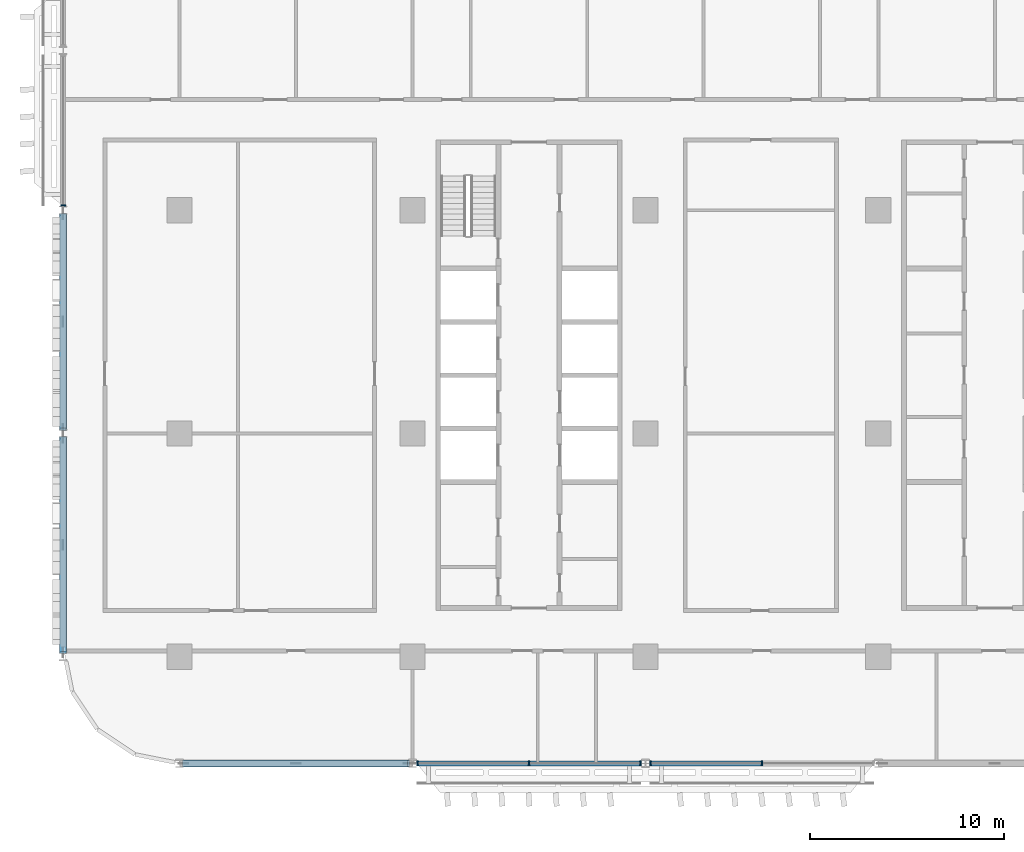
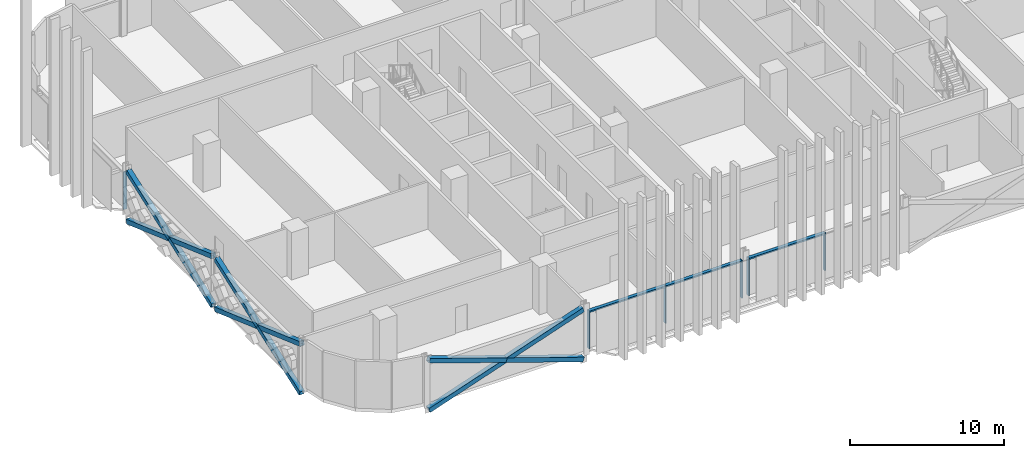
# One storey, part 3 of 33: 18 members, 3 elements without a shape of their own.
"""IFC4 building model written with IfcOpenShell, lengths in metres."""

from ifc_helpers import new_model, si_unit, direction, frame, origin, origin_2d, place, context, subcontext, project, spatial, rectangle, hollow_rectangle, extrude, material, material_profile, profile_set, type_object, element, aggregate, save


model = new_model("IFC4")

# Units and contexts
model_context = context("Model", 3, precision=1e-05, world=origin(), true_north=direction((0.0, 1.0)))
body_context = subcontext(model_context, "Body", "Model", "MODEL_VIEW")
ifc_project = project(units=[si_unit("LENGTHUNIT", "METRE"), si_unit("AREAUNIT", "SQUARE_METRE"), si_unit("VOLUMEUNIT", "CUBIC_METRE"), si_unit("PLANEANGLEUNIT", "RADIAN"), si_unit("MASSUNIT", "GRAM", prefix="KILO")], contexts=[model_context])

# Site, building, storey
site_placement = place(None, origin())
site = spatial("IfcSite", under=ifc_project, at=site_placement, CompositionType="ELEMENT")
building_placement = place(site_placement, origin())
building = spatial("IfcBuilding", under=site, at=building_placement, Name="Mahtab Terrace Research Tower", CompositionType="ELEMENT")
storey_placement = place(building_placement, frame((0.0, 0.0, 122.0)))
storey = spatial("IfcBuildingStorey", under=building, at=storey_placement, Name="L28", CompositionType="ELEMENT", Elevation=122.0)

# Members
ifc_material_1 = material(Name="Steel ASTM A500 Gr C", Category="steel")
ifc_material_profile_1 = material_profile(ifc_material_1, hollow_rectangle(XDim=0.355712890625, YDim=0.355712890625, WallThickness=0.01904296875, at=origin_2d()), Name="HSS14X14X3/4")
ifc_profile_set_1 = profile_set([ifc_material_profile_1], Name="Steel ASTM A500 Gr C")
member_type_1 = type_object("IfcMemberType", Name="HSS 14x14x3/4 brace XB141434", PredefinedType="BRACE", material=ifc_profile_set_1)
member_1_placement = place(storey_placement, frame((-48.0, 11.282958984375, -0.64111328125), z_axis=(0.0, -0.941925134484, 0.335822931061), x_axis=(1.0, 0.0, 0.0)))
element("IfcMember", 1, at=member_1_placement, inside=storey, type_object=member_type_1, Name="Exoskeleton brace L28 11 a", PredefinedType="BRACE", context=body_context, shape_type="SweptSolid", body=[
    extrude(hollow_rectangle(XDim=0.355712890625, YDim=0.355712890625, WallThickness=0.01904296875, at=origin_2d()), origin(), (0.0, 0.0, 1.0), 11.748291015625),
])
for number, where, z_axis, x_axis, name in (
    (2, (-48.0, 0.217041015625, -0.64111328125), (0.0, 0.941925134484, 0.335822931061), (-1.0, 0.0, 0.0), "Exoskeleton brace L28 11 b1"),
    (3, (-48.0, 5.75, 1.33154296875), (0.0, 0.941925134484, 0.335822931061), (-1.0, 0.0, 0.0), "Exoskeleton brace L28 11 b2"),
):
    element("IfcMember", number, at=place(storey_placement, frame(where, z_axis=z_axis, x_axis=x_axis)), inside=storey, type_object=member_type_1, Name=name, PredefinedType="BRACE", context=body_context, shape_type="SweptSolid", body=[
        extrude(hollow_rectangle(XDim=0.355712890625, YDim=0.355712890625, WallThickness=0.01904296875, at=origin_2d()), origin(), (0.0, 0.0, 1.0), 5.8740234375),
    ])
member_2_placement = place(storey_placement, frame((-48.0, -0.217041015625, -0.64111328125), z_axis=(0.0, -0.941925134484, 0.335822931061), x_axis=(1.0, 0.0, 0.0)))
element("IfcMember", 4, at=member_2_placement, inside=storey, type_object=member_type_1, Name="Exoskeleton brace L28 12 a", PredefinedType="BRACE", context=body_context, shape_type="SweptSolid", body=[
    extrude(hollow_rectangle(XDim=0.355712890625, YDim=0.355712890625, WallThickness=0.01904296875, at=origin_2d()), origin(), (0.0, 0.0, 1.0), 11.748291015625),
])
for number, where, z_axis, x_axis, name in (
    (5, (-48.0, -11.282958984375, -0.64111328125), (0.0, 0.941925134484, 0.335822931061), (-1.0, 0.0, 0.0), "Exoskeleton brace L28 12 b1"),
    (6, (-48.0, -5.75, 1.33154296875), (0.0, 0.941925134484, 0.335822931061), (-1.0, 0.0, 0.0), "Exoskeleton brace L28 12 b2"),
):
    element("IfcMember", number, at=place(storey_placement, frame(where, z_axis=z_axis, x_axis=x_axis)), inside=storey, type_object=member_type_1, Name=name, PredefinedType="BRACE", context=body_context, shape_type="SweptSolid", body=[
        extrude(hollow_rectangle(XDim=0.355712890625, YDim=0.355712890625, WallThickness=0.01904296875, at=origin_2d()), origin(), (0.0, 0.0, 1.0), 5.8740234375),
    ])
member_3_placement = place(storey_placement, frame((-41.794189453125, -17.0, -0.648193359375), z_axis=(0.946288278, 0.0, 0.323324132908), x_axis=(0.0, 1.0, 0.0)))
element("IfcMember", 7, at=member_3_placement, inside=storey, type_object=member_type_1, Name="Exoskeleton brace L28 14 a", PredefinedType="BRACE", context=body_context, shape_type="SweptSolid", body=[
    extrude(hollow_rectangle(XDim=0.355712890625, YDim=0.355712890625, WallThickness=0.01904296875, at=origin_2d()), origin(), (0.0, 0.0, 1.0), 12.24609375),
])
for number, where, z_axis, x_axis, name in (
    (8, (-30.205810546875, -17.0, -0.648193359375), (-0.946288278, 0.0, 0.323324132908), (0.0, -1.0, 0.0), "Exoskeleton brace L28 14 b1"),
    (9, (-36.0, -17.0, 1.33154296875), (-0.946288278, 0.0, 0.323324132908), (0.0, -1.0, 0.0), "Exoskeleton brace L28 14 b2"),
):
    element("IfcMember", number, at=place(storey_placement, frame(where, z_axis=z_axis, x_axis=x_axis)), inside=storey, type_object=member_type_1, Name=name, PredefinedType="BRACE", context=body_context, shape_type="SweptSolid", body=[
        extrude(hollow_rectangle(XDim=0.355712890625, YDim=0.355712890625, WallThickness=0.01904296875, at=origin_2d()), origin(), (0.0, 0.0, 1.0), 6.123046875),
    ])

# Curtain wall, member
ifc_material_2 = material(Name="Sky lounge full-height curtain wall")
curtain_wall_type = type_object("IfcCurtainWallType", Name="Sky lounge full-height curtain wall", PredefinedType="NOTDEFINED", material=ifc_material_2)
curtain_wall_1_placement = place(storey_placement, origin())
curtain_wall_1 = element("IfcCurtainWall", 10, at=curtain_wall_1_placement, inside=storey, type_object=curtain_wall_type, Name="EN.L28.8.16", PredefinedType="NOTDEFINED")
ifc_material_3 = material(Name="Natural anodised aluminium", Category="aluminium")
ifc_material_profile_2 = material_profile(ifc_material_3, rectangle(XDim=0.25, YDim=0.070068359375, at=origin_2d()), Name="MULLION 70x250")
ifc_profile_set_2 = profile_set([ifc_material_profile_2], Name="Natural anodised aluminium")
member_type_2 = type_object("IfcMemberType", Name="Sky lounge full-height curtain wall mullion", PredefinedType="MULLION", material=ifc_profile_set_2)
member_4_placement = place(storey_placement, frame((-48.0, 11.7529296875, 0.0), z_axis=(0.0, 0.0, 1.0), x_axis=(1.0, 0.0, 0.0)))
member_4 = element("IfcMember", 11, at=member_4_placement, type_object=member_type_2, Name="CWS-4 mullion 2", PredefinedType="MULLION", context=body_context, shape_type="SweptSolid", body=[
    extrude(rectangle(XDim=0.25, YDim=0.070068359375, at=origin_2d()), origin(), (0.0, 0.0, 1.0), 3.003173828125),
])
aggregate(curtain_wall_1, [member_4])

# Curtain wall, members
curtain_wall_2_placement = place(storey_placement, origin())
curtain_wall_2 = element("IfcCurtainWall", 12, at=curtain_wall_2_placement, inside=storey, type_object=curtain_wall_type, Name="EN.L28.13.25", PredefinedType="NOTDEFINED")
member_5_placement = place(storey_placement, frame((-29.7470703125, -17.0, 0.0), z_axis=(0.0, 0.0, 1.0), x_axis=(0.0, 1.0, 0.0)))
member_5 = element("IfcMember", 13, at=member_5_placement, type_object=member_type_2, Name="CWS-4 mullion 1", PredefinedType="MULLION", context=body_context, shape_type="SweptSolid", body=[
    extrude(rectangle(XDim=0.25, YDim=0.070068359375, at=origin_2d()), origin(), (0.0, 0.0, 1.0), 3.003173828125),
])
member_6_placement = place(storey_placement, frame((-24.0, -17.0, 0.0), z_axis=(0.0, 0.0, 1.0), x_axis=(0.0, 1.0, 0.0)))
member_6 = element("IfcMember", 14, at=member_6_placement, type_object=member_type_2, Name="CWS-4 mullion 2", PredefinedType="MULLION", context=body_context, shape_type="SweptSolid", body=[
    extrude(rectangle(XDim=0.25, YDim=0.070068359375, at=origin_2d()), origin(), (0.0, 0.0, 1.0), 3.003173828125),
])
member_7_placement = place(storey_placement, frame((-18.2529296875, -17.0, 0.0), z_axis=(0.0, 0.0, 1.0), x_axis=(0.0, 1.0, 0.0)))
member_7 = element("IfcMember", 15, at=member_7_placement, type_object=member_type_2, Name="CWS-4 mullion 3", PredefinedType="MULLION", context=body_context, shape_type="SweptSolid", body=[
    extrude(rectangle(XDim=0.25, YDim=0.070068359375, at=origin_2d()), origin(), (0.0, 0.0, 1.0), 3.003173828125),
])

curtain_wall_3_placement = place(storey_placement, origin())
curtain_wall_3 = element("IfcCurtainWall", 16, at=curtain_wall_3_placement, inside=storey, type_object=curtain_wall_type, Name="EN.L28.13.26", PredefinedType="NOTDEFINED")
member_8_placement = place(storey_placement, frame((-17.7470703125, -17.0, 0.0), z_axis=(0.0, 0.0, 1.0), x_axis=(0.0, 1.0, 0.0)))
member_8 = element("IfcMember", 17, at=member_8_placement, type_object=member_type_2, Name="CWS-4 mullion 1", PredefinedType="MULLION", context=body_context, shape_type="SweptSolid", body=[
    extrude(rectangle(XDim=0.25, YDim=0.070068359375, at=origin_2d()), origin(), (0.0, 0.0, 1.0), 3.003173828125),
])
member_9_placement = place(storey_placement, frame((-12.0, -17.0, 0.0), z_axis=(0.0, 0.0, 1.0), x_axis=(0.0, 1.0, 0.0)))
member_9 = element("IfcMember", 18, at=member_9_placement, type_object=member_type_2, Name="CWS-4 mullion 2", PredefinedType="MULLION", context=body_context, shape_type="SweptSolid", body=[
    extrude(rectangle(XDim=0.25, YDim=0.070068359375, at=origin_2d()), origin(), (0.0, 0.0, 1.0), 3.003173828125),
])

# Member
ifc_material_profile_3 = material_profile(ifc_material_3, rectangle(XDim=0.25, YDim=0.1201171875, at=origin_2d()), Name="TRANSOM 120x250")
ifc_profile_set_3 = profile_set([ifc_material_profile_3], Name="Natural anodised aluminium")
member_type_3 = type_object("IfcMemberType", Name="Sky lounge full-height curtain wall transom", PredefinedType="USERDEFINED", material=ifc_profile_set_3)
member_10_placement = place(storey_placement, frame((-29.7119140625, -17.0, 2.943115234375), z_axis=(1.0, 0.0, 0.0), x_axis=(0.0, 1.0, 0.0)))
member_10 = element("IfcMember", 19, at=member_10_placement, type_object=member_type_3, Name="CWS-4 transom 1", ObjectType="TRANSOM", PredefinedType="USERDEFINED", context=body_context, shape_type="SweptSolid", body=[
    extrude(rectangle(XDim=0.25, YDim=0.1201171875, at=origin_2d()), origin(), (0.0, 0.0, 1.0), 5.677001953125),
])

member_11_placement = place(storey_placement, frame((-23.965087890625, -17.0, 2.943115234375), z_axis=(1.0, 0.0, 0.0), x_axis=(0.0, 1.0, 0.0)))
member_11 = element("IfcMember", 20, at=member_11_placement, type_object=member_type_3, Name="CWS-4 transom 2", ObjectType="TRANSOM", PredefinedType="USERDEFINED", context=body_context, shape_type="SweptSolid", body=[
    extrude(rectangle(XDim=0.25, YDim=0.1201171875, at=origin_2d()), origin(), (0.0, 0.0, 1.0), 5.677001953125),
])

aggregate(curtain_wall_2, [member_5, member_6, member_7, member_10, member_11])

member_12_placement = place(storey_placement, frame((-17.7119140625, -17.0, 2.943115234375), z_axis=(1.0, 0.0, 0.0), x_axis=(0.0, 1.0, 0.0)))
member_12 = element("IfcMember", 21, at=member_12_placement, type_object=member_type_3, Name="CWS-4 transom 1", ObjectType="TRANSOM", PredefinedType="USERDEFINED", context=body_context, shape_type="SweptSolid", body=[
    extrude(rectangle(XDim=0.25, YDim=0.1201171875, at=origin_2d()), origin(), (0.0, 0.0, 1.0), 5.677001953125),
])

aggregate(curtain_wall_3, [member_8, member_9, member_12])

save(model, "model.ifc")
